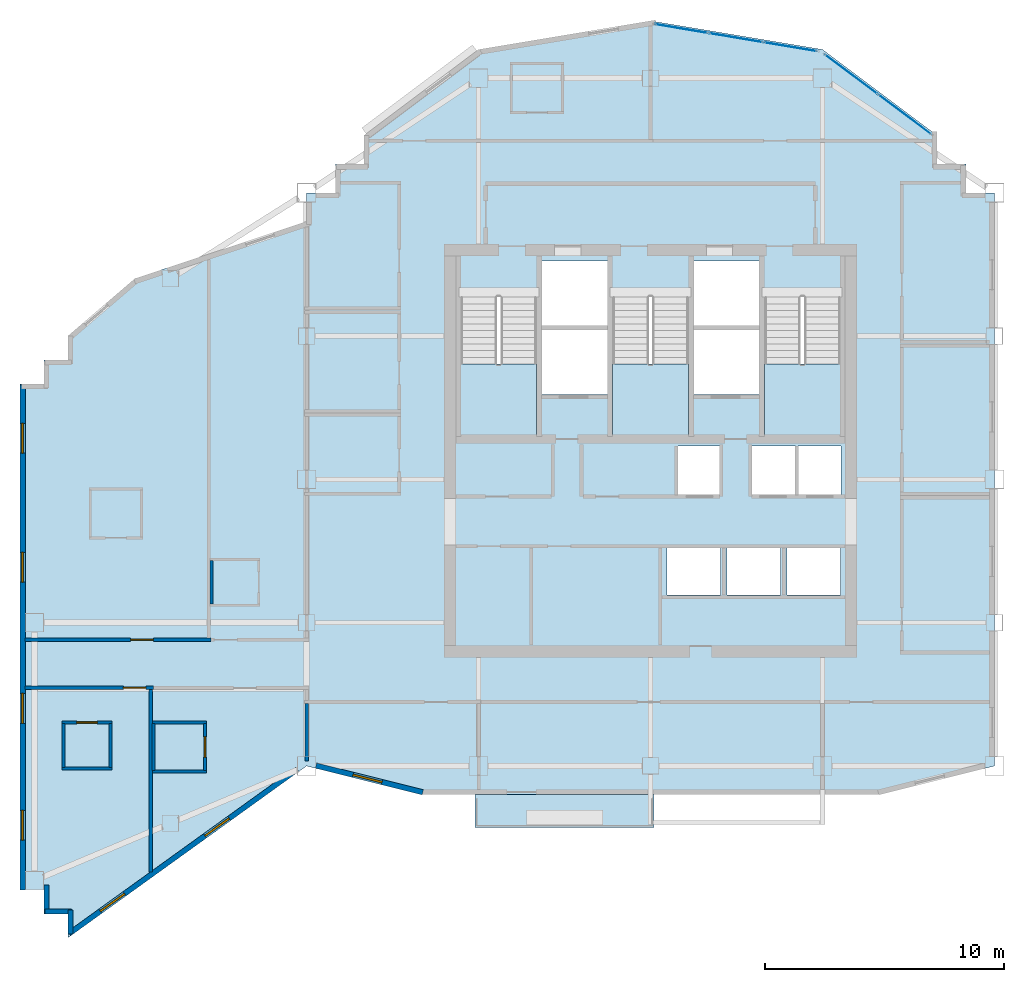
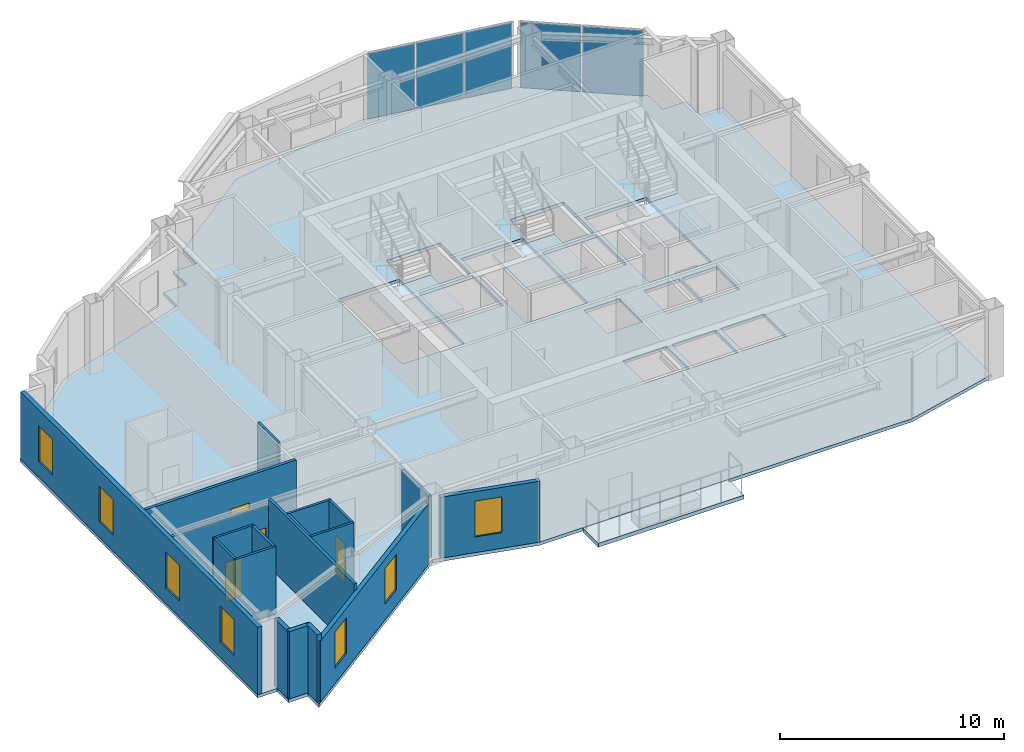
# One storey, part 4 of 9: 19 walls, 7 windows, 5 plates, 5 slabs, 4 doors, 11 openings, 5 elements without a shape of their own.
"""IFC4 building model written with IfcOpenShell, lengths in metres."""

from ifc_helpers import new_model, si_unit, direction, frame, frame_2d, origin, origin_2d, place, context, subcontext, project, spatial, polyline, rectangle, outline, extrude, material, layer, layer_set, type_object, element, fill, aggregate, save


model = new_model("IFC4")

# Units and contexts
model_context = context("Model", 3, precision=1e-05, world=origin(), true_north=direction((0.0, 1.0)))
body_context = subcontext(model_context, "Body", "Model", "MODEL_VIEW")
ifc_project = project(units=[si_unit("LENGTHUNIT", "METRE"), si_unit("AREAUNIT", "SQUARE_METRE"), si_unit("VOLUMEUNIT", "CUBIC_METRE"), si_unit("PLANEANGLEUNIT", "RADIAN"), si_unit("MASSUNIT", "GRAM", prefix="KILO")], contexts=[model_context])

# Site, building, storey
site_placement = place(None, origin())
site = spatial("IfcSite", under=ifc_project, at=site_placement, CompositionType="ELEMENT")
building_placement = place(site_placement, origin())
building = spatial("IfcBuilding", under=site, at=building_placement, Name="Haolan Belvedere Tower", CompositionType="ELEMENT")
storey_placement = place(building_placement, frame((0.0, 0.0, 242.89990234375)))
storey = spatial("IfcBuildingStorey", under=building, at=storey_placement, Name="L61", CompositionType="ELEMENT", Elevation=242.89990234375)

# Curtain wall, plates
ifc_material_1 = material(Name="Anodised champagne-silver aluminium 6063-T6 and Low-E glass", Category="aluminium")
ifc_layer_1 = layer(ifc_material_1, 0.14501953125, Name="Anodised champagne-silver aluminium 6063-T6 and Low-E glass")
ifc_layer_set_1 = layer_set([ifc_layer_1], Name="Anodised champagne-silver aluminium 6063-T6 and Low-E glass")
curtain_wall_type = type_object("IfcCurtainWallType", Name="CW-SYS-05", PredefinedType="NOTDEFINED", material=ifc_layer_set_1)
curtain_wall_1_placement = place(storey_placement, origin())
curtain_wall_1 = element("IfcCurtainWall", 1, at=curtain_wall_1_placement, inside=storey, type_object=curtain_wall_type, Name="L61 CW-SYS-05 ribbon curtain wall 8.1", PredefinedType="NOTDEFINED")
ifc_material_2 = material(Name="Double silver Low-E laminated insulating glass", Category="glass")
ifc_layer_2 = layer(ifc_material_2, 0.02197265625, Name="Double silver Low-E laminated insulating glass")
ifc_layer_set_2 = layer_set([ifc_layer_2], Name="Double silver Low-E laminated insulating glass")
plate_type = type_object("IfcPlateType", Name="CW-SYS-05-PNL", PredefinedType="CURTAIN_PANEL", material=ifc_layer_set_2)
plate_1_placement = place(storey_placement, frame((49.03955078125, 48.8828125, 0.05029296875), z_axis=(0.0, 0.0, 1.0), x_axis=(-0.799997871638, 0.600002837806, 0.0)))
plate_1 = element("IfcPlate", 2, at=plate_1_placement, type_object=plate_type, Name="CW-05 panel 1.1", PredefinedType="CURTAIN_PANEL", context=body_context, shape_type="SweptSolid", body=[
    extrude(rectangle(XDim=2.738037109375, YDim=0.02197265625, at=origin_2d()), origin(), (0.0, 0.0, 1.0), 3.570068359375),
])
plate_2_placement = place(storey_placement, frame((46.805908203125, 50.55810546875, 0.05029296875), z_axis=(0.0, 0.0, 1.0), x_axis=(-0.799997871638, 0.600002837806, 0.0)))
plate_2 = element("IfcPlate", 3, at=plate_2_placement, type_object=plate_type, Name="CW-05 panel 2.1", PredefinedType="CURTAIN_PANEL", context=body_context, shape_type="SweptSolid", body=[
    extrude(rectangle(XDim=2.738037109375, YDim=0.02197265625, at=origin_2d()), origin(), (0.0, 0.0, 1.0), 3.570068359375),
])
aggregate(curtain_wall_1, [plate_1, plate_2])

curtain_wall_2_placement = place(storey_placement, origin())
curtain_wall_2 = element("IfcCurtainWall", 4, at=curtain_wall_2_placement, inside=storey, type_object=curtain_wall_type, Name="L61 CW-SYS-05 ribbon curtain wall 9.1", PredefinedType="NOTDEFINED")
plate_3_placement = place(storey_placement, frame((44.257568359375, 51.712158203125, 0.05029296875), z_axis=(0.0, 0.0, 1.0), x_axis=(-0.98639276122, 0.164405962825, 0.0)))
plate_3 = element("IfcPlate", 5, at=plate_3_placement, type_object=plate_type, Name="CW-05 panel 1.1", PredefinedType="CURTAIN_PANEL", context=body_context, shape_type="SweptSolid", body=[
    extrude(rectangle(XDim=2.24365234375, YDim=0.02197265625, at=origin_2d()), origin(), (0.0, 0.0, 1.0), 3.570068359375),
])
plate_4_placement = place(storey_placement, frame((41.977783203125, 52.09228515625, 0.05029296875), z_axis=(0.0, 0.0, 1.0), x_axis=(-0.98639276122, 0.164405962825, 0.0)))
plate_4 = element("IfcPlate", 6, at=plate_4_placement, type_object=plate_type, Name="CW-05 panel 2.1", PredefinedType="CURTAIN_PANEL", context=body_context, shape_type="SweptSolid", body=[
    extrude(rectangle(XDim=2.270751953125, YDim=0.02197265625, at=origin_2d()), origin(), (0.0, 0.0, 1.0), 3.570068359375),
])
plate_5_placement = place(storey_placement, frame((39.697998046875, 52.47216796875, 0.05029296875), z_axis=(0.0, 0.0, 1.0), x_axis=(-0.98639276122, 0.164405962825, 0.0)))
plate_5 = element("IfcPlate", 7, at=plate_5_placement, type_object=plate_type, Name="CW-05 panel 3.1", PredefinedType="CURTAIN_PANEL", context=body_context, shape_type="SweptSolid", body=[
    extrude(rectangle(XDim=2.24365234375, YDim=0.02197265625, at=origin_2d()), origin(), (0.0, 0.0, 1.0), 3.570068359375),
])
aggregate(curtain_wall_2, [plate_3, plate_4, plate_5])

# Slabs
ifc_material_3 = material(Name="Concrete C40/50", Category="concrete")
ifc_layer_3 = layer(ifc_material_3, 0.2099609375, Name="Concrete C40/50")
ifc_layer_set_3 = layer_set([ifc_layer_3], Name="Concrete C40/50")
slab_type_1 = type_object("IfcSlabType", Name="SL-BAL-210", PredefinedType="FLOOR", material=ifc_layer_set_3)
slab_1_placement = place(storey_placement, frame((0.0, 0.0, -0.22998046875)))
element("IfcSlab", 8, at=slab_1_placement, inside=storey, type_object=slab_type_1, Name="L61 structural tree-planter balcony slab BAL-L61-S1", PredefinedType="FLOOR", context=body_context, shape_type="SweptSolid", body=[
    extrude(outline(polyline([(31.050048828125, 19.02001953125), (38.550048828125, 19.02001953125), (38.550048828125, 20.39990234375), (31.050048828125, 20.39990234375), (31.050048828125, 19.02001953125)])), origin(), (0.0, 0.0, 1.0), 0.2099609375),
])
ifc_layer_4 = layer(ifc_material_3, 0.179931640625, Name="Concrete C40/50")
ifc_layer_set_4 = layer_set([ifc_layer_4], Name="Concrete C40/50")
slab_type_2 = type_object("IfcSlabType", Name="SL-FLR-180", PredefinedType="FLOOR", material=ifc_layer_set_4)
slab_2_placement = place(storey_placement, frame((0.0, 0.0, -0.179931640625)))
element("IfcSlab", 9, at=slab_2_placement, inside=storey, type_object=slab_type_2, Name="L61 structural floor slab", PredefinedType="FLOOR", context=body_context, shape_type="SweptSolid", body=[
    extrude(outline(polyline([(24.0, 21.60009765625), (28.800048828125, 20.39990234375), (48.0, 20.39990234375), (52.800048828125, 21.60009765625), (52.800048828125, 45.60009765625), (51.60009765625, 45.60009765625), (51.60009765625, 46.800048828125), (50.39990234375, 46.800048828125), (50.39990234375, 48.0), (45.60009765625, 51.60009765625), (38.39990234375, 52.800048828125), (31.199951171875, 51.60009765625), (26.39990234375, 48.0), (26.39990234375, 46.800048828125), (25.199951171875, 46.800048828125), (25.199951171875, 45.60009765625), (24.0, 45.60009765625), (24.0, 44.39990234375), (16.800048828125, 42.0), (14.0, 39.60009765625), (14.0, 38.60009765625), (13.0, 38.60009765625), (13.0, 37.60009765625), (12.0, 37.60009765625), (12.0, 16.800048828125), (12.0, 16.39990234375), (13.0, 16.39990234375), (13.0, 15.39990234375), (14.0, 15.39990234375), (14.0, 14.39990234375), (24.0, 21.60009765625)]), holes=[polyline([(30.449951171875, 41.22998046875), (30.449951171875, 35.449951171875), (33.6298828125, 35.449951171875), (33.6298828125, 41.22998046875), (30.449951171875, 41.22998046875)]), polyline([(36.81005859375, 41.22998046875), (36.81005859375, 35.449951171875), (39.989990234375, 35.449951171875), (39.989990234375, 41.22998046875), (36.81005859375, 41.22998046875)]), polyline([(43.169921875, 41.22998046875), (43.169921875, 35.449951171875), (46.35009765625, 35.449951171875), (46.35009765625, 41.22998046875), (43.169921875, 41.22998046875)]), polyline([(33.830078125, 40.050048828125), (36.610107421875, 40.050048828125), (36.610107421875, 42.75), (33.830078125, 42.75), (33.830078125, 40.050048828125)]), polyline([(33.830078125, 37.14990234375), (36.610107421875, 37.14990234375), (36.610107421875, 39.85009765625), (33.830078125, 39.85009765625), (33.830078125, 37.14990234375)]), polyline([(40.18994140625, 40.050048828125), (42.969970703125, 40.050048828125), (42.969970703125, 42.75), (40.18994140625, 42.75), (40.18994140625, 40.050048828125)]), polyline([(40.18994140625, 37.14990234375), (42.969970703125, 37.14990234375), (42.969970703125, 39.85009765625), (40.18994140625, 39.85009765625), (40.18994140625, 37.14990234375)]), polyline([(39.5400390625, 32.949951171875), (41.389892578125, 32.949951171875), (41.389892578125, 35.0), (39.5400390625, 35.0), (39.5400390625, 32.949951171875)]), polyline([(42.6201171875, 32.949951171875), (44.469970703125, 32.949951171875), (44.469970703125, 35.0), (42.6201171875, 35.0), (42.6201171875, 32.949951171875)]), polyline([(44.580078125, 32.949951171875), (46.3798828125, 32.949951171875), (46.3798828125, 35.0), (44.580078125, 35.0), (44.580078125, 32.949951171875)]), polyline([(39.10009765625, 28.75), (41.340087890625, 28.75), (41.340087890625, 30.75), (39.10009765625, 30.75), (39.10009765625, 28.75)]), polyline([(41.610107421875, 28.75), (43.85009765625, 28.75), (43.85009765625, 30.75), (41.610107421875, 30.75), (41.610107421875, 28.75)]), polyline([(44.1201171875, 28.75), (46.360107421875, 28.75), (46.360107421875, 30.75), (44.1201171875, 30.75), (44.1201171875, 28.75)])]), origin(), (0.0, 0.0, 1.0), 0.179931640625),
])

# Stair, slab
stair_type = type_object("IfcStairType", Name="STR-DL-22R-175", PredefinedType="HALF_TURN_STAIR", material=ifc_material_3)
stair_1_placement = place(storey_placement, origin())
stair_1 = element("IfcStair", 10, at=stair_1_placement, inside=storey, type_object=stair_type, Name="L61 Smokeproof Core Exit Stair ST1", PredefinedType="HALF_TURN_STAIR")
ifc_layer_5 = layer(ifc_material_3, 0.199951171875, Name="Concrete C40/50")
ifc_layer_set_5 = layer_set([ifc_layer_5], Name="Concrete C40/50")
slab_type_3 = type_object("IfcSlabType", Name="SL-LAND-200", PredefinedType="LANDING", material=ifc_layer_set_5)
slab_3_placement = place(storey_placement, frame((0.0, 0.0, 1.72509765625)))
slab_3 = element("IfcSlab", 11, at=slab_3_placement, type_object=slab_type_3, Name="ST1 landing 1", PredefinedType="LANDING", context=body_context, shape_type="SweptSolid", body=[
    extrude(outline(polyline([(30.449951171875, 38.429931640625), (30.449951171875, 35.449951171875), (33.6298828125, 35.449951171875), (33.6298828125, 38.429931640625), (30.449951171875, 38.429931640625)])), origin(), (0.0, 0.0, 1.0), 0.199951171875),
])
aggregate(stair_1, [slab_3])

stair_2_placement = place(storey_placement, origin())
stair_2 = element("IfcStair", 12, at=stair_2_placement, inside=storey, type_object=stair_type, Name="L61 Smokeproof Core Exit Stair ST3", PredefinedType="HALF_TURN_STAIR")
slab_4_placement = place(storey_placement, frame((0.0, 0.0, 1.72509765625)))
slab_4 = element("IfcSlab", 13, at=slab_4_placement, type_object=slab_type_3, Name="ST3 landing 1", PredefinedType="LANDING", context=body_context, shape_type="SweptSolid", body=[
    extrude(outline(polyline([(36.81005859375, 38.429931640625), (36.81005859375, 35.449951171875), (39.989990234375, 35.449951171875), (39.989990234375, 38.429931640625), (36.81005859375, 38.429931640625)])), origin(), (0.0, 0.0, 1.0), 0.199951171875),
])
aggregate(stair_2, [slab_4])

stair_3_placement = place(storey_placement, origin())
stair_3 = element("IfcStair", 14, at=stair_3_placement, inside=storey, type_object=stair_type, Name="L61 Smokeproof Core Exit Stair ST2", PredefinedType="HALF_TURN_STAIR")
slab_5_placement = place(storey_placement, frame((0.0, 0.0, 1.72509765625)))
slab_5 = element("IfcSlab", 15, at=slab_5_placement, type_object=slab_type_3, Name="ST2 landing 1", PredefinedType="LANDING", context=body_context, shape_type="SweptSolid", body=[
    extrude(outline(polyline([(43.169921875, 38.429931640625), (43.169921875, 35.449951171875), (46.35009765625, 35.449951171875), (46.35009765625, 38.429931640625), (43.169921875, 38.429931640625)])), origin(), (0.0, 0.0, 1.0), 0.199951171875),
])
aggregate(stair_3, [slab_5])

# Wall, openings, windows
ifc_material_4 = material(Name="Precast concrete C40/50", Category="concrete")
ifc_layer_6 = layer(ifc_material_4, 0.219970703125, Name="Precast concrete C40/50")
ifc_layer_set_6 = layer_set([ifc_layer_6], Name="Precast concrete C40/50")
wall_type_1 = type_object("IfcWallType", Name="WL-EXT-220", PredefinedType="SOLIDWALL", material=ifc_layer_set_6)
wall_1_placement = place(storey_placement, frame((12.110107421875, 37.544921875, 0.0), z_axis=(0.0, 0.0, 1.0), x_axis=(0.0, -1.0, 0.0)))
wall_1 = element("IfcWall", 16, at=wall_1_placement, inside=storey, type_object=wall_type_1, Name="L61 pale-metal exterior spandrel wall 23.1", PredefinedType="SOLIDWALL", context=body_context, shape_type="SweptSolid", body=[
    extrude(rectangle(XDim=21.14501953125, YDim=0.219970703125, at=frame_2d((10.572509765625, 0.0))), origin(), (0.0, 0.0, 1.0), 3.670166015625),
])
opening_1_placement = place(wall_1_placement, frame((1.60009765625, 0.0, 0.85009765625)))
opening_1 = element("IfcOpeningElement", 17, at=opening_1_placement, cuts=wall_1, Name="Opening W-04", PredefinedType="OPENING", context=body_context, shape_type="SweptSolid", body=[
    extrude(rectangle(XDim=1.25, YDim=1.949951171875, at=frame_2d((0.625, 0.97509765625))), frame((0.0, 0.119873046875, 0.0), z_axis=(0.0, -1.0, 0.0), x_axis=(1.0, 0.0, 0.0)), (0.0, 0.0, 1.0), 0.239990234375),
])
opening_2_placement = place(wall_1_placement, frame((7.0, 0.0, 0.85009765625)))
opening_2 = element("IfcOpeningElement", 18, at=opening_2_placement, cuts=wall_1, Name="Opening W-04", PredefinedType="OPENING", context=body_context, shape_type="SweptSolid", body=[
    extrude(rectangle(XDim=1.25, YDim=1.949951171875, at=frame_2d((0.625, 0.97509765625))), frame((0.0, 0.119873046875, 0.0), z_axis=(0.0, -1.0, 0.0), x_axis=(1.0, 0.0, 0.0)), (0.0, 0.0, 1.0), 0.239990234375),
])
opening_3_placement = place(wall_1_placement, frame((12.909912109375, 0.0, 0.85009765625)))
opening_3 = element("IfcOpeningElement", 19, at=opening_3_placement, cuts=wall_1, Name="Opening W-04", PredefinedType="OPENING", context=body_context, shape_type="SweptSolid", body=[
    extrude(rectangle(XDim=1.25, YDim=1.949951171875, at=frame_2d((0.625, 0.97509765625))), frame((0.0, 0.119873046875, 0.0), z_axis=(0.0, -1.0, 0.0), x_axis=(1.0, 0.0, 0.0)), (0.0, 0.0, 1.0), 0.239990234375),
])
opening_4_placement = place(wall_1_placement, frame((17.800048828125, 0.0, 0.85009765625)))
opening_4 = element("IfcOpeningElement", 20, at=opening_4_placement, cuts=wall_1, Name="Opening W-04", PredefinedType="OPENING", context=body_context, shape_type="SweptSolid", body=[
    extrude(rectangle(XDim=1.25, YDim=1.949951171875, at=frame_2d((0.625, 0.97509765625))), frame((0.0, 0.119873046875, 0.0), z_axis=(0.0, -1.0, 0.0), x_axis=(1.0, 0.0, 0.0)), (0.0, 0.0, 1.0), 0.239990234375),
])
ifc_material_5 = material(Name="Anodised aluminium 6063-T6 and Low-E glass", Category="aluminium")
window_type = type_object("IfcWindowType", Name="WN-DECO-Z4", PartitioningType="SINGLE_PANEL", PredefinedType="WINDOW", material=ifc_material_5)
window_1_placement = place(opening_1_placement, origin())
window_1 = element("IfcWindow", 21, at=window_1_placement, inside=storey, type_object=window_type, Name="L61 Art Deco chevron window 1", OverallHeight=1.949951171875, OverallWidth=1.25, PartitioningType="SINGLE_PANEL", PredefinedType="WINDOW", context=body_context, shape_type="SweptSolid", body=[
    extrude(rectangle(XDim=1.25, YDim=1.949951171875, at=frame_2d((0.625, 0.97509765625))), frame((0.0, 0.030029296875, 0.0), z_axis=(0.0, -1.0, 0.0), x_axis=(1.0, 0.0, 0.0)), (0.0, 0.0, 1.0), 0.06005859375),
])
fill(opening_1, window_1)
window_2_placement = place(opening_2_placement, origin())
window_2 = element("IfcWindow", 22, at=window_2_placement, inside=storey, type_object=window_type, Name="L61 Art Deco chevron window 2", OverallHeight=1.949951171875, OverallWidth=1.25, PartitioningType="SINGLE_PANEL", PredefinedType="WINDOW", context=body_context, shape_type="SweptSolid", body=[
    extrude(rectangle(XDim=1.25, YDim=1.949951171875, at=frame_2d((0.625, 0.97509765625))), frame((0.0, 0.030029296875, 0.0), z_axis=(0.0, -1.0, 0.0), x_axis=(1.0, 0.0, 0.0)), (0.0, 0.0, 1.0), 0.06005859375),
])
fill(opening_2, window_2)
window_3_placement = place(opening_3_placement, origin())
window_3 = element("IfcWindow", 23, at=window_3_placement, inside=storey, type_object=window_type, Name="L61 Art Deco chevron window 3", OverallHeight=1.949951171875, OverallWidth=1.25, PartitioningType="SINGLE_PANEL", PredefinedType="WINDOW", context=body_context, shape_type="SweptSolid", body=[
    extrude(rectangle(XDim=1.25, YDim=1.949951171875, at=frame_2d((0.625, 0.97509765625))), frame((0.0, 0.030029296875, 0.0), z_axis=(0.0, -1.0, 0.0), x_axis=(1.0, 0.0, 0.0)), (0.0, 0.0, 1.0), 0.06005859375),
])
fill(opening_3, window_3)
window_4_placement = place(opening_4_placement, origin())
window_4 = element("IfcWindow", 24, at=window_4_placement, inside=storey, type_object=window_type, Name="L61 Art Deco chevron window 4", OverallHeight=1.949951171875, OverallWidth=1.25, PartitioningType="SINGLE_PANEL", PredefinedType="WINDOW", context=body_context, shape_type="SweptSolid", body=[
    extrude(rectangle(XDim=1.25, YDim=1.949951171875, at=frame_2d((0.625, 0.97509765625))), frame((0.0, 0.030029296875, 0.0), z_axis=(0.0, -1.0, 0.0), x_axis=(1.0, 0.0, 0.0)), (0.0, 0.0, 1.0), 0.06005859375),
])
fill(opening_4, window_4)

# Walls
wall_2_placement = place(storey_placement, frame((13.110107421875, 16.6201171875, 0.0), z_axis=(0.0, 0.0, 1.0), x_axis=(0.0, -1.0, 0.0)))
element("IfcWall", 25, at=wall_2_placement, inside=storey, type_object=wall_type_1, Name="L61 pale-metal exterior spandrel wall 25.1", PredefinedType="SOLIDWALL", context=body_context, shape_type="SweptSolid", body=[
    extrude(rectangle(XDim=1.1650390625, YDim=0.219970703125, at=frame_2d((0.58251953125, 0.0))), origin(), (0.0, 0.0, 1.0), 3.670166015625),
])
wall_3_placement = place(storey_placement, frame((13.054931640625, 15.510009765625, 0.0), z_axis=(0.0, 0.0, 1.0), x_axis=(1.0, 0.0, 0.0)))
element("IfcWall", 26, at=wall_3_placement, inside=storey, type_object=wall_type_1, Name="L61 pale-metal exterior spandrel wall 26.1", PredefinedType="SOLIDWALL", context=body_context, shape_type="SweptSolid", body=[
    extrude(rectangle(XDim=1.110107421875, YDim=0.219970703125, at=frame_2d((0.55517578125, 0.0))), origin(), (0.0, 0.0, 1.0), 3.670166015625),
])
wall_4_placement = place(storey_placement, frame((14.110107421875, 15.56494140625, 0.0), z_axis=(0.0, 0.0, 1.0), x_axis=(0.0, -1.0, 0.0)))
element("IfcWall", 27, at=wall_4_placement, inside=storey, type_object=wall_type_1, Name="L61 pale-metal exterior spandrel wall 27.1", PredefinedType="SOLIDWALL", context=body_context, shape_type="SweptSolid", body=[
    extrude(rectangle(XDim=1.005126953125, YDim=0.219970703125, at=frame_2d((0.50244140625, 0.0))), origin(), (0.0, 0.0, 1.0), 3.670166015625),
])

# Wall, openings, windows
wall_5_placement = place(storey_placement, frame((14.0654296875, 14.58251953125, 0.0), z_axis=(0.0, 0.0, 1.0), x_axis=(0.811523708458, 0.584319493608, 0.0)))
wall_5 = element("IfcWall", 28, at=wall_5_placement, inside=storey, type_object=wall_type_1, Name="L61 pale-metal exterior spandrel wall 28.1", PredefinedType="SOLIDWALL", context=body_context, shape_type="SweptSolid", body=[
    extrude(rectangle(XDim=11.7587890625, YDim=0.219970703125, at=frame_2d((5.87939453125, 0.0))), origin(), (0.0, 0.0, 1.0), 3.315185546875),
])
opening_5_placement = place(wall_5_placement, frame((1.60009765625, 0.0, 0.85009765625)))
opening_5 = element("IfcOpeningElement", 29, at=opening_5_placement, cuts=wall_5, Name="Opening W-04", PredefinedType="OPENING", context=body_context, shape_type="SweptSolid", body=[
    extrude(rectangle(XDim=1.25, YDim=1.949951171875, at=frame_2d((0.625, 0.97509765625))), frame((0.0, 0.119873046875, 0.0), z_axis=(0.0, -1.0, 0.0), x_axis=(1.0, 0.0, 0.0)), (0.0, 0.0, 1.0), 0.239990234375),
])
opening_6_placement = place(wall_5_placement, frame((7.0, 0.0, 0.85009765625)))
opening_6 = element("IfcOpeningElement", 30, at=opening_6_placement, cuts=wall_5, Name="Opening W-04", PredefinedType="OPENING", context=body_context, shape_type="SweptSolid", body=[
    extrude(rectangle(XDim=1.25, YDim=1.949951171875, at=frame_2d((0.625, 0.97509765625))), frame((0.0, 0.119873046875, 0.0), z_axis=(0.0, -1.0, 0.0), x_axis=(1.0, 0.0, 0.0)), (0.0, 0.0, 1.0), 0.239990234375),
])
window_5_placement = place(opening_5_placement, origin())
window_5 = element("IfcWindow", 31, at=window_5_placement, inside=storey, type_object=window_type, Name="L61 Art Deco chevron window 1", OverallHeight=1.949951171875, OverallWidth=1.25, PartitioningType="SINGLE_PANEL", PredefinedType="WINDOW", context=body_context, shape_type="SweptSolid", body=[
    extrude(rectangle(XDim=1.25, YDim=1.949951171875, at=frame_2d((0.625, 0.97509765625))), frame((0.0, 0.030029296875, 0.0), z_axis=(0.0, -1.0, 0.0), x_axis=(1.0, 0.0, 0.0)), (0.0, 0.0, 1.0), 0.06005859375),
])
fill(opening_5, window_5)
window_6_placement = place(opening_6_placement, origin())
window_6 = element("IfcWindow", 32, at=window_6_placement, inside=storey, type_object=window_type, Name="L61 Art Deco chevron window 2", OverallHeight=1.949951171875, OverallWidth=1.25, PartitioningType="SINGLE_PANEL", PredefinedType="WINDOW", context=body_context, shape_type="SweptSolid", body=[
    extrude(rectangle(XDim=1.25, YDim=1.949951171875, at=frame_2d((0.625, 0.97509765625))), frame((0.0, 0.030029296875, 0.0), z_axis=(0.0, -1.0, 0.0), x_axis=(1.0, 0.0, 0.0)), (0.0, 0.0, 1.0), 0.06005859375),
])
fill(opening_6, window_6)

# Wall, opening, window
wall_6_placement = place(storey_placement, frame((24.39208984375, 21.615478515625, 0.0), z_axis=(0.0, 0.0, 1.0), x_axis=(0.970133159038, -0.242572986408, 0.0)))
wall_6 = element("IfcWall", 33, at=wall_6_placement, inside=storey, type_object=wall_type_1, Name="L61 pale-metal exterior spandrel wall 29.1", PredefinedType="SOLIDWALL", context=body_context, shape_type="SweptSolid", body=[
    extrude(rectangle(XDim=4.612548828125, YDim=0.219970703125, at=frame_2d((2.30615234375, 0.0))), origin(), (0.0, 0.0, 1.0), 3.315185546875),
])
opening_7_placement = place(wall_6_placement, frame((1.60009765625, 0.0, 0.85009765625)))
opening_7 = element("IfcOpeningElement", 34, at=opening_7_placement, cuts=wall_6, Name="Opening W-04", PredefinedType="OPENING", context=body_context, shape_type="SweptSolid", body=[
    extrude(rectangle(XDim=1.25, YDim=1.949951171875, at=frame_2d((0.625, 0.97509765625))), frame((0.0, 0.119873046875, 0.0), z_axis=(0.0, -1.0, 0.0), x_axis=(1.0, 0.0, 0.0)), (0.0, 0.0, 1.0), 0.239990234375),
])
window_7_placement = place(opening_7_placement, origin())
window_7 = element("IfcWindow", 35, at=window_7_placement, inside=storey, type_object=window_type, Name="L61 Art Deco chevron window 1", OverallHeight=1.949951171875, OverallWidth=1.25, PartitioningType="SINGLE_PANEL", PredefinedType="WINDOW", context=body_context, shape_type="SweptSolid", body=[
    extrude(rectangle(XDim=1.25, YDim=1.949951171875, at=frame_2d((0.625, 0.97509765625))), frame((0.0, 0.030029296875, 0.0), z_axis=(0.0, -1.0, 0.0), x_axis=(1.0, 0.0, 0.0)), (0.0, 0.0, 1.0), 0.06005859375),
])
fill(opening_7, window_7)

# Wall
ifc_material_6 = material(Name="Double gypsum acoustic stud partition", Category="masonry")
ifc_layer_7 = layer(ifc_material_6, 0.14990234375, Name="Double gypsum acoustic stud partition")
ifc_layer_set_7 = layer_set([ifc_layer_7], Name="Double gypsum acoustic stud partition")
wall_type_2 = type_object("IfcWallType", Name="WL-PART-150", PredefinedType="PARTITIONING", material=ifc_layer_set_7)
wall_7_placement = place(storey_placement, frame((24.0, 21.818603515625, 0.0), z_axis=(0.0, 0.0, 1.0), x_axis=(0.0, 1.0, 0.0)))
element("IfcWall", 36, at=wall_7_placement, inside=storey, type_object=wall_type_2, Name="L61 interior partition IW-L61-KS1-W", PredefinedType="PARTITIONING", context=body_context, shape_type="SweptSolid", body=[
    extrude(rectangle(XDim=2.4013671875, YDim=0.14990234375, at=frame_2d((1.20068359375, 0.0))), origin(), (0.0, 0.0, 1.0), 3.315185546875),
])

# Wall, opening, door
wall_8_placement = place(storey_placement, frame((12.2119140625, 26.8798828125, 0.0), z_axis=(0.0, 0.0, 1.0), x_axis=(1.0, 0.0, 0.0)))
wall_8 = element("IfcWall", 37, at=wall_8_placement, inside=storey, type_object=wall_type_2, Name="L61 interior partition IW-L61-T2N1-S", PredefinedType="PARTITIONING", context=body_context, shape_type="SweptSolid", body=[
    extrude(rectangle(XDim=7.7880859375, YDim=0.14990234375, at=frame_2d((3.89404296875, 0.0))), origin(), (0.0, 0.0, 1.0), 3.670166015625),
])
opening_8_placement = place(wall_8_placement, frame((4.4248046875, 0.0, 0.0)))
opening_8 = element("IfcOpeningElement", 38, at=opening_8_placement, cuts=wall_8, Name="Opening ID-01", PredefinedType="OPENING", context=body_context, shape_type="SweptSolid", body=[
    extrude(rectangle(XDim=0.949951171875, YDim=2.179931640625, at=frame_2d((0.47509765625, 1.08984375))), frame((0.0, 0.0849609375, 0.0), z_axis=(0.0, -1.0, 0.0), x_axis=(1.0, 0.0, 0.0)), (0.0, 0.0, 1.0), 0.169921875),
])
ifc_material_7 = material(Name="Acoustic walnut veneer fire-rated timber", Category="wood")
door_type_1 = type_object("IfcDoorType", Name="DR-SUITE-950", OperationType="NOTDEFINED", PredefinedType="DOOR", material=ifc_material_7)
door_1_placement = place(opening_8_placement, origin())
door_1 = element("IfcDoor", 39, at=door_1_placement, inside=storey, type_object=door_type_1, Name="L61 door ID-L61-T2N1-ENT", OperationType="SINGLE_SWING_RIGHT", OverallHeight=2.179931640625, OverallWidth=0.949951171875, PredefinedType="DOOR", context=body_context, shape_type="SweptSolid", body=[
    extrude(rectangle(XDim=0.949951171875, YDim=2.179931640625, at=frame_2d((0.47509765625, 1.08984375))), frame((0.0, 0.02490234375, 0.0), z_axis=(0.0, -1.0, 0.0), x_axis=(1.0, 0.0, 0.0)), (0.0, 0.0, 1.0), 0.050048828125),
])
fill(opening_8, door_1)

wall_9_placement = place(storey_placement, frame((12.2119140625, 24.8701171875, 0.0), z_axis=(0.0, 0.0, 1.0), x_axis=(1.0, 0.0, 0.0)))
wall_9 = element("IfcWall", 40, at=wall_9_placement, inside=storey, type_object=wall_type_2, Name="L61 interior partition IW-L61-T2S1-N", PredefinedType="PARTITIONING", context=body_context, shape_type="SweptSolid", body=[
    extrude(rectangle(XDim=5.3681640625, YDim=0.14990234375, at=frame_2d((2.68408203125, 0.0))), origin(), (0.0, 0.0, 1.0), 3.35498046875),
])
opening_9_placement = place(wall_9_placement, frame((5.0615234375, 0.0, 0.0), z_axis=(0.0, 0.0, 1.0), x_axis=(-1.0, 0.0, 0.0)))
opening_9 = element("IfcOpeningElement", 41, at=opening_9_placement, cuts=wall_9, Name="Opening ID-02", PredefinedType="OPENING", context=body_context, shape_type="SweptSolid", body=[
    extrude(rectangle(XDim=0.949951171875, YDim=2.14990234375, at=frame_2d((0.47509765625, 1.074951171875))), frame((0.0, 0.0849609375, 0.0), z_axis=(0.0, -1.0, 0.0), x_axis=(1.0, 0.0, 0.0)), (0.0, 0.0, 1.0), 0.169921875),
])
ifc_material_8 = material(Name="Acoustic oak veneer fire-rated timber", Category="wood")
door_type_2 = type_object("IfcDoorType", Name="DR-GUEST-950", OperationType="NOTDEFINED", PredefinedType="DOOR", material=ifc_material_8)
door_2_placement = place(opening_9_placement, origin())
door_2 = element("IfcDoor", 42, at=door_2_placement, inside=storey, type_object=door_type_2, Name="L61 door ID-L61-T2S1-ENT", OperationType="SINGLE_SWING_RIGHT", OverallHeight=2.14990234375, OverallWidth=0.949951171875, PredefinedType="DOOR", context=body_context, shape_type="SweptSolid", body=[
    extrude(rectangle(XDim=0.949951171875, YDim=2.14990234375, at=frame_2d((0.47509765625, 1.074951171875))), frame((0.0, 0.02490234375, 0.0), z_axis=(0.0, -1.0, 0.0), x_axis=(1.0, 0.0, 0.0)), (0.0, 0.0, 1.0), 0.050048828125),
])
fill(opening_9, door_2)

# Walls
wall_10_placement = place(storey_placement, frame((17.47998046875, 17.166748046875, 0.0), z_axis=(0.0, 0.0, 1.0), x_axis=(0.0, 1.0, 0.0)))
element("IfcWall", 43, at=wall_10_placement, inside=storey, type_object=wall_type_2, Name="L61 interior partition IW-L61-T2S1-E", PredefinedType="PARTITIONING", context=body_context, shape_type="SweptSolid", body=[
    extrude(rectangle(XDim=7.643310546875, YDim=0.14990234375, at=frame_2d((3.82177734375, 0.0))), origin(), (0.0, 0.0, 1.0), 3.670166015625),
])
ifc_material_9 = material(Name="Moisture-resistant gypsum tile partition", Category="masonry")
ifc_layer_8 = layer(ifc_material_9, 0.1201171875, Name="Moisture-resistant gypsum tile partition")
ifc_layer_set_8 = layer_set([ifc_layer_8], Name="Moisture-resistant gypsum tile partition")
wall_type_3 = type_object("IfcWallType", Name="WL-WET-120", PredefinedType="PARTITIONING", material=ifc_layer_set_8)
wall_11_placement = place(storey_placement, frame((20.01416015625, 28.375, 0.0), z_axis=(0.0, 0.0, 1.0), x_axis=(0.0, 1.0, 0.0)))
element("IfcWall", 44, at=wall_11_placement, inside=storey, type_object=wall_type_3, Name="L61 interior partition IW-L61-T2N2-BW", PredefinedType="PARTITIONING", context=body_context, shape_type="SweptSolid", body=[
    extrude(rectangle(XDim=1.830078125, YDim=0.1201171875, at=frame_2d((0.9150390625, 0.0))), origin(), (0.0, 0.0, 1.0), 3.670166015625),
])

# Wall, opening, door
wall_12_placement = place(storey_placement, frame((13.7548828125, 23.419921875, 0.0), z_axis=(0.0, 0.0, 1.0), x_axis=(1.0, 0.0, 0.0)))
wall_12 = element("IfcWall", 45, at=wall_12_placement, inside=storey, type_object=wall_type_3, Name="L61 interior partition IW-L61-T2S1-BN", PredefinedType="PARTITIONING", context=body_context, shape_type="SweptSolid", body=[
    extrude(rectangle(XDim=2.10009765625, YDim=0.1201171875, at=frame_2d((1.050048828125, 0.0))), origin(), (0.0, 0.0, 1.0), 3.670166015625),
])
opening_10_placement = place(wall_12_placement, frame((1.47509765625, 0.0, 0.0), z_axis=(0.0, 0.0, 1.0), x_axis=(-1.0, 0.0, 0.0)))
opening_10 = element("IfcOpeningElement", 46, at=opening_10_placement, cuts=wall_12, Name="Opening ID-05", PredefinedType="OPENING", context=body_context, shape_type="SweptSolid", body=[
    extrude(rectangle(XDim=0.85009765625, YDim=2.10009765625, at=frame_2d((0.425048828125, 1.050048828125))), frame((0.0, 0.070068359375, 0.0), z_axis=(0.0, -1.0, 0.0), x_axis=(1.0, 0.0, 0.0)), (0.0, 0.0, 1.0), 0.14013671875),
])
ifc_material_10 = material(Name="Moisture-resistant lacquered timber", Category="wood")
door_type_3 = type_object("IfcDoorType", Name="DR-BATH-850", OperationType="NOTDEFINED", PredefinedType="DOOR", material=ifc_material_10)
door_3_placement = place(opening_10_placement, origin())
door_3 = element("IfcDoor", 47, at=door_3_placement, inside=storey, type_object=door_type_3, Name="L61 door ID-L61-T2S1-BATH", OperationType="SINGLE_SWING_LEFT", OverallHeight=2.10009765625, OverallWidth=0.85009765625, PredefinedType="DOOR", context=body_context, shape_type="SweptSolid", body=[
    extrude(rectangle(XDim=0.85009765625, YDim=2.10009765625, at=frame_2d((0.425048828125, 1.050048828125))), frame((0.0, 0.02490234375, 0.0), z_axis=(0.0, -1.0, 0.0), x_axis=(1.0, 0.0, 0.0)), (0.0, 0.0, 1.0), 0.050048828125),
])
fill(opening_10, door_3)

# Walls
wall_13_placement = place(storey_placement, frame((13.7548828125, 21.5, 0.0), z_axis=(0.0, 0.0, 1.0), x_axis=(1.0, 0.0, 0.0)))
element("IfcWall", 48, at=wall_13_placement, inside=storey, type_object=wall_type_3, Name="L61 interior partition IW-L61-T2S1-BS", PredefinedType="PARTITIONING", context=body_context, shape_type="SweptSolid", body=[
    extrude(rectangle(XDim=2.10009765625, YDim=0.1201171875, at=frame_2d((1.050048828125, 0.0))), origin(), (0.0, 0.0, 1.0), 3.670166015625),
])
for number, where, z_axis, x_axis, name in (
    (49, (13.81494140625, 21.544921875, 0.0), (0.0, 0.0, 1.0), (0.0, 1.0, 0.0), "L61 interior partition IW-L61-T2S1-BW"),
    (50, (15.794921875, 21.544921875, 0.0), (0.0, 0.0, 1.0), (0.0, 1.0, 0.0), "L61 interior partition IW-L61-T2S1-BE"),
):
    element("IfcWall", number, at=place(storey_placement, frame(where, z_axis=z_axis, x_axis=x_axis)), inside=storey, type_object=wall_type_3, Name=name, PredefinedType="PARTITIONING", context=body_context, shape_type="SweptSolid", body=[
        extrude(rectangle(XDim=1.830078125, YDim=0.1201171875, at=frame_2d((0.9150390625, 0.0))), origin(), (0.0, 0.0, 1.0), 3.670166015625),
    ])
for number, where, z_axis, x_axis, name in (
    (51, (17.5400390625, 23.419921875, 0.0), (0.0, 0.0, 1.0), (1.0, 0.0, 0.0), "L61 interior partition IW-L61-T2S2-BN"),
    (52, (17.5400390625, 21.3701171875, 0.0), (0.0, 0.0, 1.0), (1.0, 0.0, 0.0), "L61 interior partition IW-L61-T2S2-BS"),
):
    element("IfcWall", number, at=place(storey_placement, frame(where, z_axis=z_axis, x_axis=x_axis)), inside=storey, type_object=wall_type_3, Name=name, PredefinedType="PARTITIONING", context=body_context, shape_type="SweptSolid", body=[
        extrude(rectangle(XDim=2.264892578125, YDim=0.1201171875, at=frame_2d((1.13232421875, 0.0))), origin(), (0.0, 0.0, 1.0), 3.670166015625),
    ])
wall_14_placement = place(storey_placement, frame((17.594970703125, 21.4150390625, 0.0), z_axis=(0.0, 0.0, 1.0), x_axis=(0.0, 1.0, 0.0)))
element("IfcWall", 53, at=wall_14_placement, inside=storey, type_object=wall_type_3, Name="L61 interior partition IW-L61-T2S2-BW", PredefinedType="PARTITIONING", context=body_context, shape_type="SweptSolid", body=[
    extrude(rectangle(XDim=1.9599609375, YDim=0.1201171875, at=frame_2d((0.97998046875, 0.0))), origin(), (0.0, 0.0, 1.0), 3.670166015625),
])

# Wall, opening, door
wall_15_placement = place(storey_placement, frame((19.7451171875, 21.4150390625, 0.0), z_axis=(0.0, 0.0, 1.0), x_axis=(0.0, 1.0, 0.0)))
wall_15 = element("IfcWall", 54, at=wall_15_placement, inside=storey, type_object=wall_type_3, Name="L61 interior partition IW-L61-T2S2-BE", PredefinedType="PARTITIONING", context=body_context, shape_type="SweptSolid", body=[
    extrude(rectangle(XDim=1.9599609375, YDim=0.1201171875, at=frame_2d((0.97998046875, 0.0))), origin(), (0.0, 0.0, 1.0), 3.670166015625),
])
opening_11_placement = place(wall_15_placement, frame((0.554931640625, 0.0, 0.0)))
opening_11 = element("IfcOpeningElement", 55, at=opening_11_placement, cuts=wall_15, Name="Opening ID-05", PredefinedType="OPENING", context=body_context, shape_type="SweptSolid", body=[
    extrude(rectangle(XDim=0.85009765625, YDim=2.10009765625, at=frame_2d((0.425048828125, 1.050048828125))), frame((0.0, 0.070068359375, 0.0), z_axis=(0.0, -1.0, 0.0), x_axis=(1.0, 0.0, 0.0)), (0.0, 0.0, 1.0), 0.14013671875),
])
door_4_placement = place(opening_11_placement, origin())
door_4 = element("IfcDoor", 56, at=door_4_placement, inside=storey, type_object=door_type_3, Name="L61 door ID-L61-T2S2-BATH", OperationType="SINGLE_SWING_RIGHT", OverallHeight=2.10009765625, OverallWidth=0.85009765625, PredefinedType="DOOR", context=body_context, shape_type="SweptSolid", body=[
    extrude(rectangle(XDim=0.85009765625, YDim=2.10009765625, at=frame_2d((0.425048828125, 1.050048828125))), frame((0.0, 0.02490234375, 0.0), z_axis=(0.0, -1.0, 0.0), x_axis=(1.0, 0.0, 0.0)), (0.0, 0.0, 1.0), 0.050048828125),
])
fill(opening_11, door_4)

save(model, "model.ifc")
